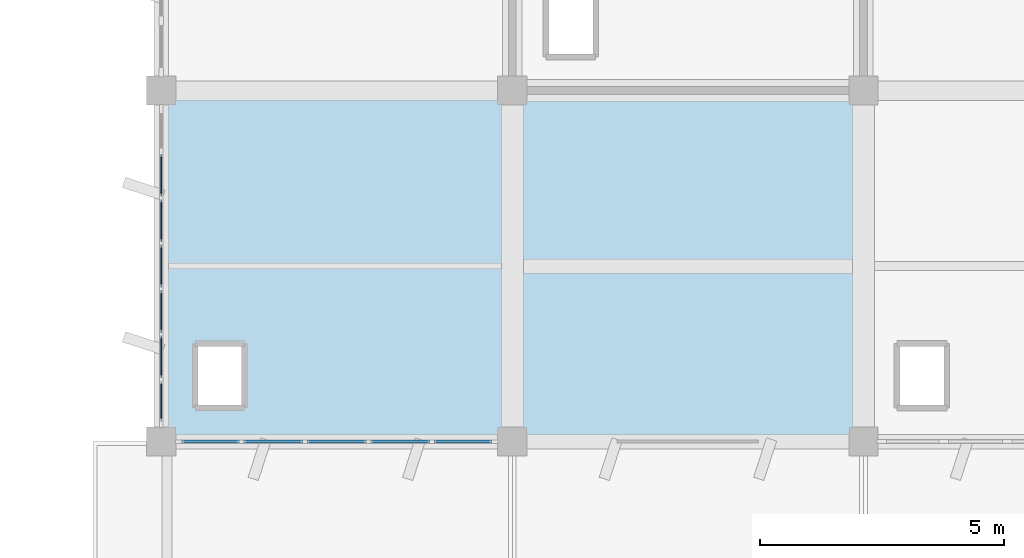
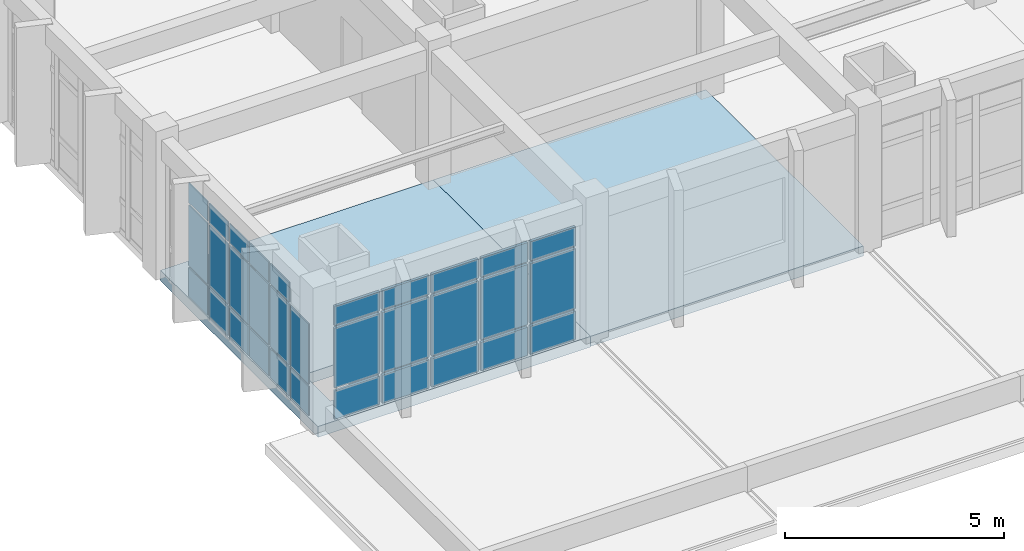
# One storey, part 35 of 62: 32 plates, 2 slabs, 2 elements without a shape of their own.
"""IFC4 building model written with IfcOpenShell, lengths in metres."""

from ifc_helpers import new_model, si_unit, direction, frame, origin, origin_2d, place, context, subcontext, project, spatial, polyline, rectangle, outline, extrude, material, layer, layer_set, type_object, element, aggregate, save


model = new_model("IFC4")

# Units and contexts
model_context = context("Model", 3, precision=1e-05, world=origin(), true_north=direction((0.0, 1.0)))
body_context = subcontext(model_context, "Body", "Model", "MODEL_VIEW")
ifc_project = project(units=[si_unit("LENGTHUNIT", "METRE"), si_unit("AREAUNIT", "SQUARE_METRE"), si_unit("VOLUMEUNIT", "CUBIC_METRE"), si_unit("PLANEANGLEUNIT", "RADIAN"), si_unit("MASSUNIT", "GRAM", prefix="KILO")], contexts=[model_context])

# Site, building, storey
site_placement = place(None, origin())
site = spatial("IfcSite", under=ifc_project, at=site_placement, CompositionType="ELEMENT")
building_placement = place(site_placement, origin())
building = spatial("IfcBuilding", under=site, at=building_placement, Name="Kavelor Marine Aquarium", CompositionType="ELEMENT")
storey_placement = place(building_placement, frame((0.0, 0.0, 13.5)))
storey = spatial("IfcBuildingStorey", under=building, at=storey_placement, Name="L03", CompositionType="ELEMENT", Elevation=13.5)

# Curtain wall, plates
ifc_material_1 = material(Name="Thermally Broken Aluminium and Low-E Glass", Category="aluminium")
ifc_layer_1 = layer(ifc_material_1, 0.156005859375)
ifc_layer_set_1 = layer_set([ifc_layer_1], Name="CW-SYS2")
curtain_wall_type_1 = type_object("IfcCurtainWallType", Name="CW-SYS2", PredefinedType="USERDEFINED", material=ifc_layer_set_1)
curtain_wall_1_placement = place(storey_placement, origin())
curtain_wall_1 = element("IfcCurtainWall", 1, at=curtain_wall_1_placement, inside=storey, type_object=curtain_wall_type_1, Name="cw:y:L03:16_08", ObjectType="Curtain Wall", PredefinedType="USERDEFINED")
ifc_material_2 = material(Name="Solar-Control Double Low-E Glazing", Category="glass")
ifc_layer_2 = layer(ifc_material_2, 0.028076171875)
ifc_layer_set_2 = layer_set([ifc_layer_2], Name="CWP-02")
plate_type_1 = type_object("IfcPlateType", Name="CWP-02", PredefinedType="CURTAIN_PANEL", material=ifc_layer_set_2)
plate_1_placement = place(storey_placement, frame((118.39990234375, 65.860107421875, 0.06494140625), z_axis=(0.0, 0.0, 1.0), x_axis=(0.0, -1.0, 0.0)))
plate_1 = element("IfcPlate", 2, at=plate_1_placement, type_object=plate_type_1, Name="CW02 panel 2.1", PredefinedType="CURTAIN_PANEL", context=body_context, shape_type="SweptSolid", body=[
    extrude(rectangle(XDim=0.864990234375, YDim=0.028076171875, at=origin_2d()), origin(), (0.0, 0.0, 1.0), 0.802490234375),
])
plate_2_placement = place(storey_placement, frame((118.39990234375, 65.860107421875, 0.932373046875), z_axis=(0.0, 0.0, 1.0), x_axis=(0.0, -1.0, 0.0)))
plate_2 = element("IfcPlate", 3, at=plate_2_placement, type_object=plate_type_1, Name="CW02 panel 2.2", PredefinedType="CURTAIN_PANEL", context=body_context, shape_type="SweptSolid", body=[
    extrude(rectangle(XDim=0.864990234375, YDim=0.028076171875, at=origin_2d()), origin(), (0.0, 0.0, 1.0), 1.68505859375),
])
plate_3_placement = place(storey_placement, frame((118.39990234375, 65.860107421875, 2.6826171875), z_axis=(0.0, 0.0, 1.0), x_axis=(0.0, -1.0, 0.0)))
plate_3 = element("IfcPlate", 4, at=plate_3_placement, type_object=plate_type_1, Name="CW02 panel 2.3", PredefinedType="CURTAIN_PANEL", context=body_context, shape_type="SweptSolid", body=[
    extrude(rectangle(XDim=0.864990234375, YDim=0.028076171875, at=origin_2d()), origin(), (0.0, 0.0, 1.0), 0.552490234375),
])
plate_4_placement = place(storey_placement, frame((118.39990234375, 64.929931640625, 0.06494140625), z_axis=(0.0, 0.0, 1.0), x_axis=(0.0, -1.0, 0.0)))
plate_4 = element("IfcPlate", 5, at=plate_4_placement, type_object=plate_type_1, Name="CW02 panel 3.1", PredefinedType="CURTAIN_PANEL", context=body_context, shape_type="SweptSolid", body=[
    extrude(rectangle(XDim=0.864990234375, YDim=0.028076171875, at=origin_2d()), origin(), (0.0, 0.0, 1.0), 0.802490234375),
])
plate_5_placement = place(storey_placement, frame((118.39990234375, 64.929931640625, 0.932373046875), z_axis=(0.0, 0.0, 1.0), x_axis=(0.0, -1.0, 0.0)))
plate_5 = element("IfcPlate", 6, at=plate_5_placement, type_object=plate_type_1, Name="CW02 panel 3.2", PredefinedType="CURTAIN_PANEL", context=body_context, shape_type="SweptSolid", body=[
    extrude(rectangle(XDim=0.864990234375, YDim=0.028076171875, at=origin_2d()), origin(), (0.0, 0.0, 1.0), 1.68505859375),
])
plate_6_placement = place(storey_placement, frame((118.39990234375, 64.929931640625, 2.6826171875), z_axis=(0.0, 0.0, 1.0), x_axis=(0.0, -1.0, 0.0)))
plate_6 = element("IfcPlate", 7, at=plate_6_placement, type_object=plate_type_1, Name="CW02 panel 3.3", PredefinedType="CURTAIN_PANEL", context=body_context, shape_type="SweptSolid", body=[
    extrude(rectangle(XDim=0.864990234375, YDim=0.028076171875, at=origin_2d()), origin(), (0.0, 0.0, 1.0), 0.552490234375),
])
plate_7_placement = place(storey_placement, frame((118.39990234375, 64.0, 0.06494140625), z_axis=(0.0, 0.0, 1.0), x_axis=(0.0, -1.0, 0.0)))
plate_7 = element("IfcPlate", 8, at=plate_7_placement, type_object=plate_type_1, Name="CW02 panel 4.1", PredefinedType="CURTAIN_PANEL", context=body_context, shape_type="SweptSolid", body=[
    extrude(rectangle(XDim=0.864990234375, YDim=0.028076171875, at=origin_2d()), origin(), (0.0, 0.0, 1.0), 0.802490234375),
])
plate_8_placement = place(storey_placement, frame((118.39990234375, 64.0, 0.932373046875), z_axis=(0.0, 0.0, 1.0), x_axis=(0.0, -1.0, 0.0)))
plate_8 = element("IfcPlate", 9, at=plate_8_placement, type_object=plate_type_1, Name="CW02 panel 4.2", PredefinedType="CURTAIN_PANEL", context=body_context, shape_type="SweptSolid", body=[
    extrude(rectangle(XDim=0.864990234375, YDim=0.028076171875, at=origin_2d()), origin(), (0.0, 0.0, 1.0), 1.68505859375),
])
plate_9_placement = place(storey_placement, frame((118.39990234375, 64.0, 2.6826171875), z_axis=(0.0, 0.0, 1.0), x_axis=(0.0, -1.0, 0.0)))
plate_9 = element("IfcPlate", 10, at=plate_9_placement, type_object=plate_type_1, Name="CW02 panel 4.3", PredefinedType="CURTAIN_PANEL", context=body_context, shape_type="SweptSolid", body=[
    extrude(rectangle(XDim=0.864990234375, YDim=0.028076171875, at=origin_2d()), origin(), (0.0, 0.0, 1.0), 0.552490234375),
])
plate_10_placement = place(storey_placement, frame((118.39990234375, 63.070068359375, 0.06494140625), z_axis=(0.0, 0.0, 1.0), x_axis=(0.0, -1.0, 0.0)))
plate_10 = element("IfcPlate", 11, at=plate_10_placement, type_object=plate_type_1, Name="CW02 panel 5.1", PredefinedType="CURTAIN_PANEL", context=body_context, shape_type="SweptSolid", body=[
    extrude(rectangle(XDim=0.864990234375, YDim=0.028076171875, at=origin_2d()), origin(), (0.0, 0.0, 1.0), 0.802490234375),
])
plate_11_placement = place(storey_placement, frame((118.39990234375, 63.070068359375, 0.932373046875), z_axis=(0.0, 0.0, 1.0), x_axis=(0.0, -1.0, 0.0)))
plate_11 = element("IfcPlate", 12, at=plate_11_placement, type_object=plate_type_1, Name="CW02 panel 5.2", PredefinedType="CURTAIN_PANEL", context=body_context, shape_type="SweptSolid", body=[
    extrude(rectangle(XDim=0.864990234375, YDim=0.028076171875, at=origin_2d()), origin(), (0.0, 0.0, 1.0), 1.68505859375),
])
plate_12_placement = place(storey_placement, frame((118.39990234375, 63.070068359375, 2.6826171875), z_axis=(0.0, 0.0, 1.0), x_axis=(0.0, -1.0, 0.0)))
plate_12 = element("IfcPlate", 13, at=plate_12_placement, type_object=plate_type_1, Name="CW02 panel 5.3", PredefinedType="CURTAIN_PANEL", context=body_context, shape_type="SweptSolid", body=[
    extrude(rectangle(XDim=0.864990234375, YDim=0.028076171875, at=origin_2d()), origin(), (0.0, 0.0, 1.0), 0.552490234375),
])
plate_13_placement = place(storey_placement, frame((118.39990234375, 62.139892578125, 0.06494140625), z_axis=(0.0, 0.0, 1.0), x_axis=(0.0, -1.0, 0.0)))
plate_13 = element("IfcPlate", 14, at=plate_13_placement, type_object=plate_type_1, Name="CW02 panel 6.1", PredefinedType="CURTAIN_PANEL", context=body_context, shape_type="SweptSolid", body=[
    extrude(rectangle(XDim=0.864990234375, YDim=0.028076171875, at=origin_2d()), origin(), (0.0, 0.0, 1.0), 0.802490234375),
])
plate_14_placement = place(storey_placement, frame((118.39990234375, 62.139892578125, 0.932373046875), z_axis=(0.0, 0.0, 1.0), x_axis=(0.0, -1.0, 0.0)))
plate_14 = element("IfcPlate", 15, at=plate_14_placement, type_object=plate_type_1, Name="CW02 panel 6.2", PredefinedType="CURTAIN_PANEL", context=body_context, shape_type="SweptSolid", body=[
    extrude(rectangle(XDim=0.864990234375, YDim=0.028076171875, at=origin_2d()), origin(), (0.0, 0.0, 1.0), 1.68505859375),
])
plate_15_placement = place(storey_placement, frame((118.39990234375, 62.139892578125, 2.6826171875), z_axis=(0.0, 0.0, 1.0), x_axis=(0.0, -1.0, 0.0)))
plate_15 = element("IfcPlate", 16, at=plate_15_placement, type_object=plate_type_1, Name="CW02 panel 6.3", PredefinedType="CURTAIN_PANEL", context=body_context, shape_type="SweptSolid", body=[
    extrude(rectangle(XDim=0.864990234375, YDim=0.028076171875, at=origin_2d()), origin(), (0.0, 0.0, 1.0), 0.552490234375),
])
plate_16_placement = place(storey_placement, frame((118.39990234375, 61.226318359375, 0.06494140625), z_axis=(0.0, 0.0, 1.0), x_axis=(0.0, -1.0, 0.0)))
plate_16 = element("IfcPlate", 17, at=plate_16_placement, type_object=plate_type_1, Name="CW02 panel 7.1", PredefinedType="CURTAIN_PANEL", context=body_context, shape_type="SweptSolid", body=[
    extrude(rectangle(XDim=0.83251953125, YDim=0.028076171875, at=origin_2d()), origin(), (0.0, 0.0, 1.0), 0.802490234375),
])
plate_17_placement = place(storey_placement, frame((118.39990234375, 61.226318359375, 0.932373046875), z_axis=(0.0, 0.0, 1.0), x_axis=(0.0, -1.0, 0.0)))
plate_17 = element("IfcPlate", 18, at=plate_17_placement, type_object=plate_type_1, Name="CW02 panel 7.2", PredefinedType="CURTAIN_PANEL", context=body_context, shape_type="SweptSolid", body=[
    extrude(rectangle(XDim=0.83251953125, YDim=0.028076171875, at=origin_2d()), origin(), (0.0, 0.0, 1.0), 1.68505859375),
])
aggregate(curtain_wall_1, [plate_1, plate_2, plate_3, plate_4, plate_5, plate_6, plate_7, plate_8, plate_9, plate_10, plate_11, plate_12, plate_13, plate_14, plate_15, plate_16, plate_17])

ifc_material_3 = material(Name="Thermally Broken Aluminium and Low-E Glass", Category="aluminium")
ifc_layer_3 = layer(ifc_material_3, 0.196044921875)
ifc_layer_set_3 = layer_set([ifc_layer_3], Name="CW-SYS7")
curtain_wall_type_2 = type_object("IfcCurtainWallType", Name="CW-SYS7", PredefinedType="USERDEFINED", material=ifc_layer_set_3)
curtain_wall_2_placement = place(storey_placement, origin())
curtain_wall_2 = element("IfcCurtainWall", 19, at=curtain_wall_2_placement, inside=storey, type_object=curtain_wall_type_2, Name="cw:x:L03:16_08", ObjectType="Curtain Wall", PredefinedType="USERDEFINED")
ifc_material_4 = material(Name="Solar-Control Double Low-E Glazing", Category="glass")
ifc_layer_4 = layer(ifc_material_4, 0.06201171875)
ifc_layer_set_4 = layer_set([ifc_layer_4], Name="CWP-19")
plate_type_2 = type_object("IfcPlateType", Name="CWP-19", PredefinedType="CURTAIN_PANEL", material=ifc_layer_set_4)
plate_18_placement = place(storey_placement, frame((124.585205078125, 60.39990234375, 0.074951171875), z_axis=(0.0, 0.0, 1.0), x_axis=(-1.0, 0.0, 0.0)))
plate_18 = element("IfcPlate", 20, at=plate_18_placement, type_object=plate_type_2, Name="CW07 panel 1.1", PredefinedType="CURTAIN_PANEL", context=body_context, shape_type="SweptSolid", body=[
    extrude(rectangle(XDim=1.189453125, YDim=0.06201171875, at=origin_2d()), origin(), (0.0, 0.0, 1.0), 0.78759765625),
])
plate_19_placement = place(storey_placement, frame((124.585205078125, 60.39990234375, 0.9375), z_axis=(0.0, 0.0, 1.0), x_axis=(-1.0, 0.0, 0.0)))
plate_19 = element("IfcPlate", 21, at=plate_19_placement, type_object=plate_type_2, Name="CW07 panel 1.2", PredefinedType="CURTAIN_PANEL", context=body_context, shape_type="SweptSolid", body=[
    extrude(rectangle(XDim=1.189453125, YDim=0.06201171875, at=origin_2d()), origin(), (0.0, 0.0, 1.0), 1.675048828125),
])
plate_20_placement = place(storey_placement, frame((124.585205078125, 60.39990234375, 2.6875), z_axis=(0.0, 0.0, 1.0), x_axis=(-1.0, 0.0, 0.0)))
plate_20 = element("IfcPlate", 22, at=plate_20_placement, type_object=plate_type_2, Name="CW07 panel 1.3", PredefinedType="CURTAIN_PANEL", context=body_context, shape_type="SweptSolid", body=[
    extrude(rectangle(XDim=1.189453125, YDim=0.06201171875, at=origin_2d()), origin(), (0.0, 0.0, 1.0), 0.53759765625),
])
plate_21_placement = place(storey_placement, frame((123.302001953125, 60.39990234375, 0.074951171875), z_axis=(0.0, 0.0, 1.0), x_axis=(-1.0, 0.0, 0.0)))
plate_21 = element("IfcPlate", 23, at=plate_21_placement, type_object=plate_type_2, Name="CW07 panel 2.1", PredefinedType="CURTAIN_PANEL", context=body_context, shape_type="SweptSolid", body=[
    extrude(rectangle(XDim=1.22705078125, YDim=0.06201171875, at=origin_2d()), origin(), (0.0, 0.0, 1.0), 0.78759765625),
])
plate_22_placement = place(storey_placement, frame((123.302001953125, 60.39990234375, 0.9375), z_axis=(0.0, 0.0, 1.0), x_axis=(-1.0, 0.0, 0.0)))
plate_22 = element("IfcPlate", 24, at=plate_22_placement, type_object=plate_type_2, Name="CW07 panel 2.2", PredefinedType="CURTAIN_PANEL", context=body_context, shape_type="SweptSolid", body=[
    extrude(rectangle(XDim=1.22705078125, YDim=0.06201171875, at=origin_2d()), origin(), (0.0, 0.0, 1.0), 1.675048828125),
])
plate_23_placement = place(storey_placement, frame((123.302001953125, 60.39990234375, 2.6875), z_axis=(0.0, 0.0, 1.0), x_axis=(-1.0, 0.0, 0.0)))
plate_23 = element("IfcPlate", 25, at=plate_23_placement, type_object=plate_type_2, Name="CW07 panel 2.3", PredefinedType="CURTAIN_PANEL", context=body_context, shape_type="SweptSolid", body=[
    extrude(rectangle(XDim=1.22705078125, YDim=0.06201171875, at=origin_2d()), origin(), (0.0, 0.0, 1.0), 0.53759765625),
])
plate_24_placement = place(storey_placement, frame((122.0, 60.39990234375, 0.074951171875), z_axis=(0.0, 0.0, 1.0), x_axis=(-1.0, 0.0, 0.0)))
plate_24 = element("IfcPlate", 26, at=plate_24_placement, type_object=plate_type_2, Name="CW07 panel 3.1", PredefinedType="CURTAIN_PANEL", context=body_context, shape_type="SweptSolid", body=[
    extrude(rectangle(XDim=1.22705078125, YDim=0.06201171875, at=origin_2d()), origin(), (0.0, 0.0, 1.0), 0.78759765625),
])
plate_25_placement = place(storey_placement, frame((122.0, 60.39990234375, 0.9375), z_axis=(0.0, 0.0, 1.0), x_axis=(-1.0, 0.0, 0.0)))
plate_25 = element("IfcPlate", 27, at=plate_25_placement, type_object=plate_type_2, Name="CW07 panel 3.2", PredefinedType="CURTAIN_PANEL", context=body_context, shape_type="SweptSolid", body=[
    extrude(rectangle(XDim=1.22705078125, YDim=0.06201171875, at=origin_2d()), origin(), (0.0, 0.0, 1.0), 1.675048828125),
])
plate_26_placement = place(storey_placement, frame((122.0, 60.39990234375, 2.6875), z_axis=(0.0, 0.0, 1.0), x_axis=(-1.0, 0.0, 0.0)))
plate_26 = element("IfcPlate", 28, at=plate_26_placement, type_object=plate_type_2, Name="CW07 panel 3.3", PredefinedType="CURTAIN_PANEL", context=body_context, shape_type="SweptSolid", body=[
    extrude(rectangle(XDim=1.22705078125, YDim=0.06201171875, at=origin_2d()), origin(), (0.0, 0.0, 1.0), 0.53759765625),
])
plate_27_placement = place(storey_placement, frame((120.697998046875, 60.39990234375, 0.074951171875), z_axis=(0.0, 0.0, 1.0), x_axis=(-1.0, 0.0, 0.0)))
plate_27 = element("IfcPlate", 29, at=plate_27_placement, type_object=plate_type_2, Name="CW07 panel 4.1", PredefinedType="CURTAIN_PANEL", context=body_context, shape_type="SweptSolid", body=[
    extrude(rectangle(XDim=1.22705078125, YDim=0.06201171875, at=origin_2d()), origin(), (0.0, 0.0, 1.0), 0.78759765625),
])
plate_28_placement = place(storey_placement, frame((120.697998046875, 60.39990234375, 0.9375), z_axis=(0.0, 0.0, 1.0), x_axis=(-1.0, 0.0, 0.0)))
plate_28 = element("IfcPlate", 30, at=plate_28_placement, type_object=plate_type_2, Name="CW07 panel 4.2", PredefinedType="CURTAIN_PANEL", context=body_context, shape_type="SweptSolid", body=[
    extrude(rectangle(XDim=1.22705078125, YDim=0.06201171875, at=origin_2d()), origin(), (0.0, 0.0, 1.0), 1.675048828125),
])
plate_29_placement = place(storey_placement, frame((120.697998046875, 60.39990234375, 2.6875), z_axis=(0.0, 0.0, 1.0), x_axis=(-1.0, 0.0, 0.0)))
plate_29 = element("IfcPlate", 31, at=plate_29_placement, type_object=plate_type_2, Name="CW07 panel 4.3", PredefinedType="CURTAIN_PANEL", context=body_context, shape_type="SweptSolid", body=[
    extrude(rectangle(XDim=1.22705078125, YDim=0.06201171875, at=origin_2d()), origin(), (0.0, 0.0, 1.0), 0.53759765625),
])
plate_30_placement = place(storey_placement, frame((119.414794921875, 60.39990234375, 0.074951171875), z_axis=(0.0, 0.0, 1.0), x_axis=(-1.0, 0.0, 0.0)))
plate_30 = element("IfcPlate", 32, at=plate_30_placement, type_object=plate_type_2, Name="CW07 panel 5.1", PredefinedType="CURTAIN_PANEL", context=body_context, shape_type="SweptSolid", body=[
    extrude(rectangle(XDim=1.189453125, YDim=0.06201171875, at=origin_2d()), origin(), (0.0, 0.0, 1.0), 0.78759765625),
])
plate_31_placement = place(storey_placement, frame((119.414794921875, 60.39990234375, 0.9375), z_axis=(0.0, 0.0, 1.0), x_axis=(-1.0, 0.0, 0.0)))
plate_31 = element("IfcPlate", 33, at=plate_31_placement, type_object=plate_type_2, Name="CW07 panel 5.2", PredefinedType="CURTAIN_PANEL", context=body_context, shape_type="SweptSolid", body=[
    extrude(rectangle(XDim=1.189453125, YDim=0.06201171875, at=origin_2d()), origin(), (0.0, 0.0, 1.0), 1.675048828125),
])
plate_32_placement = place(storey_placement, frame((119.414794921875, 60.39990234375, 2.6875), z_axis=(0.0, 0.0, 1.0), x_axis=(-1.0, 0.0, 0.0)))
plate_32 = element("IfcPlate", 34, at=plate_32_placement, type_object=plate_type_2, Name="CW07 panel 5.3", PredefinedType="CURTAIN_PANEL", context=body_context, shape_type="SweptSolid", body=[
    extrude(rectangle(XDim=1.189453125, YDim=0.06201171875, at=origin_2d()), origin(), (0.0, 0.0, 1.0), 0.53759765625),
])
aggregate(curtain_wall_2, [plate_18, plate_19, plate_20, plate_21, plate_22, plate_23, plate_24, plate_25, plate_26, plate_27, plate_28, plate_29, plate_30, plate_31, plate_32])

# Slabs
ifc_material_5 = material(Name="Concrete C40/50", Category="concrete")
ifc_layer_5 = layer(ifc_material_5, 0.300048828125)
ifc_layer_set_5 = layer_set([ifc_layer_5], Name="SL-FL1")
slab_type_1 = type_object("IfcSlabType", Name="SL-FL1", PredefinedType="FLOOR", material=ifc_layer_set_5)
slab_1_placement = place(storey_placement, frame((0.0, 0.0, -0.300048828125)))
element("IfcSlab", 35, at=slab_1_placement, inside=storey, type_object=slab_type_1, Name="slab:L03:16_08", PredefinedType="FLOOR", context=body_context, shape_type="SweptSolid", body=[
    extrude(outline(polyline([(118.39990234375, 60.39990234375), (125.60009765625, 60.39990234375), (125.60009765625, 67.60009765625), (118.39990234375, 67.60009765625), (118.39990234375, 60.39990234375)]), holes=[polyline([(119.14990234375, 61.14990234375), (120.050048828125, 61.14990234375), (120.050048828125, 62.35009765625), (119.14990234375, 62.35009765625), (119.14990234375, 61.14990234375)])]), origin(), (0.0, 0.0, 1.0), 0.300048828125),
])
ifc_material_6 = material(Name="Concrete C40/50", Category="concrete")
ifc_layer_6 = layer(ifc_material_6, 0.280029296875)
ifc_layer_set_6 = layer_set([ifc_layer_6], Name="SL-FL2")
slab_type_2 = type_object("IfcSlabType", Name="SL-FL2", PredefinedType="FLOOR", material=ifc_layer_set_6)
slab_2_placement = place(storey_placement, frame((0.0, 0.0, -0.280029296875)))
element("IfcSlab", 36, at=slab_2_placement, inside=storey, type_object=slab_type_2, Name="slab:L03:17_08", PredefinedType="FLOOR", context=body_context, shape_type="SweptSolid", body=[
    extrude(outline(polyline([(125.60009765625, 60.39990234375), (132.800048828125, 60.39990234375), (132.800048828125, 67.60009765625), (125.60009765625, 67.60009765625), (125.60009765625, 60.39990234375)])), origin(), (0.0, 0.0, 1.0), 0.280029296875),
])

save(model, "model.ifc")
